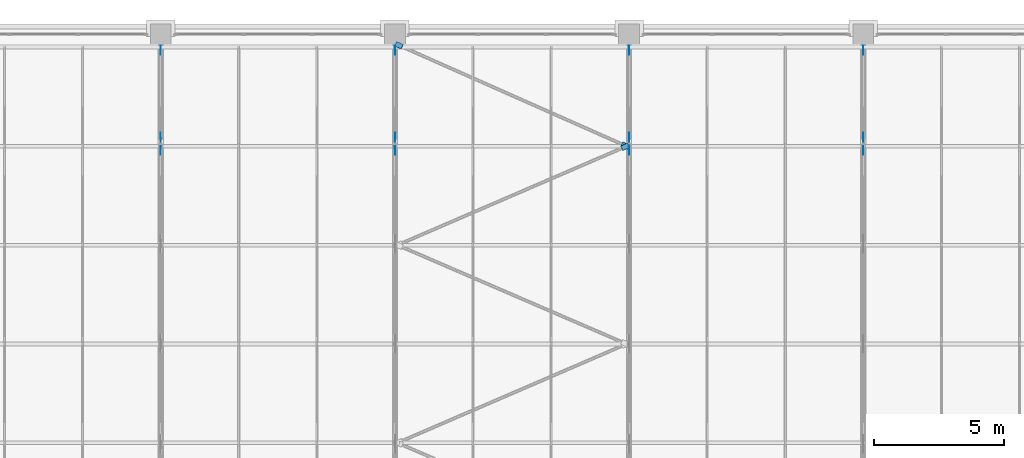
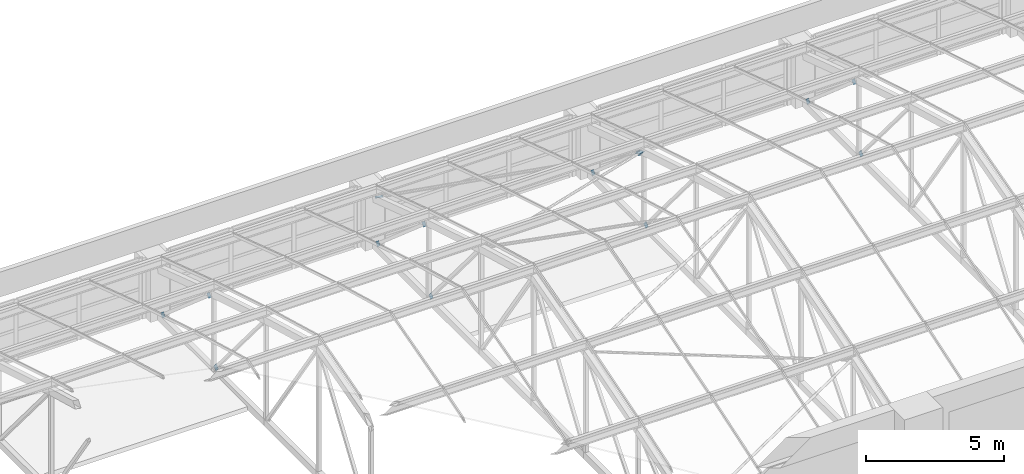
# One storey, part 70 of 82: 15 discrete accessories.
"""IFC4 building model written with IfcOpenShell, lengths in metres."""

from ifc_helpers import new_model, si_unit, direction, frame, origin, place, context, subcontext, project, spatial, polyline, outline, extrude, material, layer, layer_set, type_object, element, save


model = new_model("IFC4")

# Units and contexts
model_context = context("Model", 3, precision=1e-05, world=origin(), true_north=direction((0.0, 1.0)))
body_context = subcontext(model_context, "Body", "Model", "MODEL_VIEW")
ifc_project = project(units=[si_unit("LENGTHUNIT", "METRE"), si_unit("AREAUNIT", "SQUARE_METRE"), si_unit("VOLUMEUNIT", "CUBIC_METRE"), si_unit("PLANEANGLEUNIT", "RADIAN"), si_unit("MASSUNIT", "GRAM", prefix="KILO")], contexts=[model_context])

# Site, building, storey
site_placement = place(None, origin())
site = spatial("IfcSite", under=ifc_project, at=site_placement, CompositionType="ELEMENT")
building_placement = place(site_placement, origin())
building = spatial("IfcBuilding", under=site, at=building_placement, Name="Aravalli Gate Trade Fair Centre", CompositionType="ELEMENT")
storey_placement = place(building_placement, frame((0.0, 0.0, 19.199951171875)))
storey = spatial("IfcBuildingStorey", under=building, at=storey_placement, Name="L04", CompositionType="ELEMENT", Elevation=19.199951171875)

# Discrete accessories
ifc_material = material(Name="Steel E350", Category="steel")
ifc_layer = layer(ifc_material, 0.010009765625)
ifc_layer_set = layer_set([ifc_layer], Name="Steel E350")
discrete_accessory_type = type_object("IfcDiscreteAccessoryType", Name="Gusset plate 200 x 200 x 10", PredefinedType="USERDEFINED", material=ifc_layer_set)
discrete_accessory_1_placement = place(storey_placement, frame((60.0048828125, 128.368896484375, 0.388916015625), z_axis=(1.0, 0.0, 0.0), x_axis=(0.0, 0.642926085547, -0.765928226744)))
element("IfcDiscreteAccessory", 1, at=discrete_accessory_1_placement, inside=storey, type_object=discrete_accessory_type, Name="Gusset plate Concourse vault truss CT1 line 07 diagonal D5 end B", ObjectType="GUSSET PLATE", PredefinedType="USERDEFINED", context=body_context, shape_type="SweptSolid", body=[
    extrude(outline(polyline([(0.0, 0.0), (0.2798636494456477, -2.7755575615628914e-17), (0.2797343721370357, 0.19996558721966756), (-0.00012927730861199416, 0.1999655872196676), (0.0, 0.0)])), origin(), (0.0, 0.0, -1.0), 0.010009765625),
])
discrete_accessory_2_placement = place(storey_placement, frame((59.9951171875, 129.080810546875, 3.060791015625), z_axis=(-1.0, 0.0, 0.0), x_axis=(0.0, -0.756666176812, 0.653801420057)))
element("IfcDiscreteAccessory", 2, at=discrete_accessory_2_placement, inside=storey, type_object=discrete_accessory_type, Name="Gusset plate Concourse vault truss CT1 line 07 diagonal D6 end A", ObjectType="GUSSET PLATE", PredefinedType="USERDEFINED", context=body_context, shape_type="SweptSolid", body=[
    extrude(outline(polyline([(0.0, 0.0), (0.28006281897354945, 0.0), (0.2800100381297428, 0.2000904762631978), (0.00013195210951666425, 0.19993085677587924), (0.0, 0.0)])), origin(), (0.0, 0.0, -1.0), 0.010009765625),
])
discrete_accessory_3_placement = place(storey_placement, frame((60.0048828125, 132.209716796875, 0.355224609375), z_axis=(1.0, 0.0, 0.0), x_axis=(0.0, 0.756666176812, -0.653801420057)))
element("IfcDiscreteAccessory", 3, at=discrete_accessory_3_placement, inside=storey, type_object=discrete_accessory_type, Name="Gusset plate Concourse vault truss CT1 line 07 diagonal D6 end B", ObjectType="GUSSET PLATE", PredefinedType="USERDEFINED", context=body_context, shape_type="SweptSolid", body=[
    extrude(outline(polyline([(0.0, 0.0), (0.28006281897354945, 0.0), (0.2802752193046747, 0.19990574330987443), (5.27808438066657e-05, 0.2000904762631978), (0.0, 0.0)])), origin(), (0.0, 0.0, -1.0), 0.010009765625),
])
discrete_accessory_4_placement = place(storey_placement, frame((69.0048828125, 128.368896484375, 0.388916015625), z_axis=(1.0, 0.0, 0.0), x_axis=(0.0, 0.642926085547, -0.765928226744)))
element("IfcDiscreteAccessory", 4, at=discrete_accessory_4_placement, inside=storey, type_object=discrete_accessory_type, Name="Gusset plate Concourse vault truss CT1 line 08 diagonal D5 end B", ObjectType="GUSSET PLATE", PredefinedType="USERDEFINED", context=body_context, shape_type="SweptSolid", body=[
    extrude(outline(polyline([(0.0, 0.0), (0.2798636494456477, -2.7755575615628914e-17), (0.2797343721370357, 0.19996558721966756), (-0.00012927730861199416, 0.1999655872196676), (0.0, 0.0)])), origin(), (0.0, 0.0, -1.0), 0.010009765625),
])
discrete_accessory_5_placement = place(storey_placement, frame((68.9951171875, 129.080810546875, 3.060791015625), z_axis=(-1.0, 0.0, 0.0), x_axis=(0.0, -0.756666176812, 0.653801420057)))
element("IfcDiscreteAccessory", 5, at=discrete_accessory_5_placement, inside=storey, type_object=discrete_accessory_type, Name="Gusset plate Concourse vault truss CT1 line 08 diagonal D6 end A", ObjectType="GUSSET PLATE", PredefinedType="USERDEFINED", context=body_context, shape_type="SweptSolid", body=[
    extrude(outline(polyline([(0.0, 0.0), (0.28006281897354945, 0.0), (0.2800100381297428, 0.2000904762631978), (0.00013195210951666425, 0.19993085677587924), (0.0, 0.0)])), origin(), (0.0, 0.0, -1.0), 0.010009765625),
])
discrete_accessory_6_placement = place(storey_placement, frame((69.0048828125, 132.209716796875, 0.355224609375), z_axis=(1.0, 0.0, 0.0), x_axis=(0.0, 0.756666176812, -0.653801420057)))
element("IfcDiscreteAccessory", 6, at=discrete_accessory_6_placement, inside=storey, type_object=discrete_accessory_type, Name="Gusset plate Concourse vault truss CT1 line 08 diagonal D6 end B", ObjectType="GUSSET PLATE", PredefinedType="USERDEFINED", context=body_context, shape_type="SweptSolid", body=[
    extrude(outline(polyline([(0.0, 0.0), (0.28006281897354945, 0.0), (0.2802752193046747, 0.19990574330987443), (5.27808438066657e-05, 0.2000904762631978), (0.0, 0.0)])), origin(), (0.0, 0.0, -1.0), 0.010009765625),
])
discrete_accessory_7_placement = place(storey_placement, frame((78.0048828125, 128.368896484375, 0.388916015625), z_axis=(1.0, 0.0, 0.0), x_axis=(0.0, 0.642926085547, -0.765928226744)))
element("IfcDiscreteAccessory", 7, at=discrete_accessory_7_placement, inside=storey, type_object=discrete_accessory_type, Name="Gusset plate Concourse vault truss CT1 line 09 diagonal D5 end B", ObjectType="GUSSET PLATE", PredefinedType="USERDEFINED", context=body_context, shape_type="SweptSolid", body=[
    extrude(outline(polyline([(0.0, 0.0), (0.2798636494456477, -2.7755575615628914e-17), (0.2797343721370357, 0.19996558721966756), (-0.00012927730861199416, 0.1999655872196676), (0.0, 0.0)])), origin(), (0.0, 0.0, -1.0), 0.010009765625),
])
discrete_accessory_8_placement = place(storey_placement, frame((77.9951171875, 129.080810546875, 3.060791015625), z_axis=(-1.0, 0.0, 0.0), x_axis=(0.0, -0.756666176812, 0.653801420057)))
element("IfcDiscreteAccessory", 8, at=discrete_accessory_8_placement, inside=storey, type_object=discrete_accessory_type, Name="Gusset plate Concourse vault truss CT1 line 09 diagonal D6 end A", ObjectType="GUSSET PLATE", PredefinedType="USERDEFINED", context=body_context, shape_type="SweptSolid", body=[
    extrude(outline(polyline([(0.0, 0.0), (0.28006281897354945, 0.0), (0.2800100381297428, 0.2000904762631978), (0.00013195210951666425, 0.19993085677587924), (0.0, 0.0)])), origin(), (0.0, 0.0, -1.0), 0.010009765625),
])
discrete_accessory_9_placement = place(storey_placement, frame((78.0048828125, 132.209716796875, 0.355224609375), z_axis=(1.0, 0.0, 0.0), x_axis=(0.0, 0.756666176812, -0.653801420057)))
element("IfcDiscreteAccessory", 9, at=discrete_accessory_9_placement, inside=storey, type_object=discrete_accessory_type, Name="Gusset plate Concourse vault truss CT1 line 09 diagonal D6 end B", ObjectType="GUSSET PLATE", PredefinedType="USERDEFINED", context=body_context, shape_type="SweptSolid", body=[
    extrude(outline(polyline([(0.0, 0.0), (0.28006281897354945, 0.0), (0.2802752193046747, 0.19990574330987443), (5.27808438066657e-05, 0.2000904762631978), (0.0, 0.0)])), origin(), (0.0, 0.0, -1.0), 0.010009765625),
])
discrete_accessory_10_placement = place(storey_placement, frame((87.0048828125, 128.368896484375, 0.388916015625), z_axis=(1.0, 0.0, 0.0), x_axis=(0.0, 0.642926085547, -0.765928226744)))
element("IfcDiscreteAccessory", 10, at=discrete_accessory_10_placement, inside=storey, type_object=discrete_accessory_type, Name="Gusset plate Concourse vault truss CT1 line 10 diagonal D5 end B", ObjectType="GUSSET PLATE", PredefinedType="USERDEFINED", context=body_context, shape_type="SweptSolid", body=[
    extrude(outline(polyline([(0.0, 0.0), (0.2798636494456477, -2.7755575615628914e-17), (0.2797343721370357, 0.19996558721966756), (-0.00012927730861199416, 0.1999655872196676), (0.0, 0.0)])), origin(), (0.0, 0.0, -1.0), 0.010009765625),
])
discrete_accessory_11_placement = place(storey_placement, frame((86.9951171875, 129.080810546875, 3.060791015625), z_axis=(-1.0, 0.0, 0.0), x_axis=(0.0, -0.756666176812, 0.653801420057)))
element("IfcDiscreteAccessory", 11, at=discrete_accessory_11_placement, inside=storey, type_object=discrete_accessory_type, Name="Gusset plate Concourse vault truss CT1 line 10 diagonal D6 end A", ObjectType="GUSSET PLATE", PredefinedType="USERDEFINED", context=body_context, shape_type="SweptSolid", body=[
    extrude(outline(polyline([(0.0, 0.0), (0.28006281897354945, 0.0), (0.2800100381297428, 0.2000904762631978), (0.00013195210951666425, 0.19993085677587924), (0.0, 0.0)])), origin(), (0.0, 0.0, -1.0), 0.010009765625),
])
discrete_accessory_12_placement = place(storey_placement, frame((87.0048828125, 132.209716796875, 0.355224609375), z_axis=(1.0, 0.0, 0.0), x_axis=(0.0, 0.756666176812, -0.653801420057)))
element("IfcDiscreteAccessory", 12, at=discrete_accessory_12_placement, inside=storey, type_object=discrete_accessory_type, Name="Gusset plate Concourse vault truss CT1 line 10 diagonal D6 end B", ObjectType="GUSSET PLATE", PredefinedType="USERDEFINED", context=body_context, shape_type="SweptSolid", body=[
    extrude(outline(polyline([(0.0, 0.0), (0.28006281897354945, 0.0), (0.2802752193046747, 0.19990574330987443), (5.27808438066657e-05, 0.2000904762631978), (0.0, 0.0)])), origin(), (0.0, 0.0, -1.0), 0.010009765625),
])
discrete_accessory_13_placement = place(storey_placement, frame((77.7587890625, 128.535400390625, 3.578369140625), z_axis=(-0.000277147556, 0.289683562469, 0.95712243565), x_axis=(0.911344143105, 0.394068060266, -0.119005112103)))
element("IfcDiscreteAccessory", 13, at=discrete_accessory_13_placement, inside=storey, type_object=discrete_accessory_type, Name="Gusset plate Vault plan brace 8.5 end B", ObjectType="GUSSET PLATE", PredefinedType="USERDEFINED", context=body_context, shape_type="SweptSolid", body=[
    extrude(outline(polyline([(0.0, 0.0), (0.2799458222731509, 1.5612511283791264e-17), (0.2802805733311891, 0.2000177689676762), (8.320094690340493e-05, 0.2000537881506523), (0.0, 0.0)])), origin(), (0.0, 0.0, -1.0), 0.010009765625),
])
discrete_accessory_14_placement = place(storey_placement, frame((69.239013671875, 132.435302734375, 2.298828125), z_axis=(-0.000468396592, 0.312795244389, 0.949820464979), x_axis=(-0.906473763734, 0.400940254766, -0.132484820907)))
element("IfcDiscreteAccessory", 14, at=discrete_accessory_14_placement, inside=storey, type_object=discrete_accessory_type, Name="Gusset plate Vault plan brace 8.6 end A", ObjectType="GUSSET PLATE", PredefinedType="USERDEFINED", context=body_context, shape_type="SweptSolid", body=[
    extrude(outline(polyline([(0.0, 0.0), (0.280103252991504, -6.938893903907228e-18), (0.27982321442828345, -0.20002503898522053), (-5.873149199656438e-05, -0.19992194770564437), (0.0, 0.0)])), origin(), (0.0, 0.0, -1.0), 0.010009765625),
])
discrete_accessory_15_placement = place(storey_placement, frame((77.676513671875, 128.69482421875, 3.5263671875), z_axis=(-0.010941136954, 0.289187533297, 0.957209936277), x_axis=(0.906424050005, -0.401340067312, 0.131611519034)))
element("IfcDiscreteAccessory", 15, at=discrete_accessory_15_placement, inside=storey, type_object=discrete_accessory_type, Name="Gusset plate Vault plan brace 8.6 end B", ObjectType="GUSSET PLATE", PredefinedType="USERDEFINED", context=body_context, shape_type="SweptSolid", body=[
    extrude(outline(polyline([(0.0, 0.0), (0.27984969684885347, 6.938893903907228e-18), (0.27997174346179066, 0.1998015804089766), (2.4063198066089087e-05, 0.20001375767626173), (0.0, 0.0)])), origin(), (0.0, 0.0, -1.0), 0.010009765625),
])

save(model, "model.ifc")
